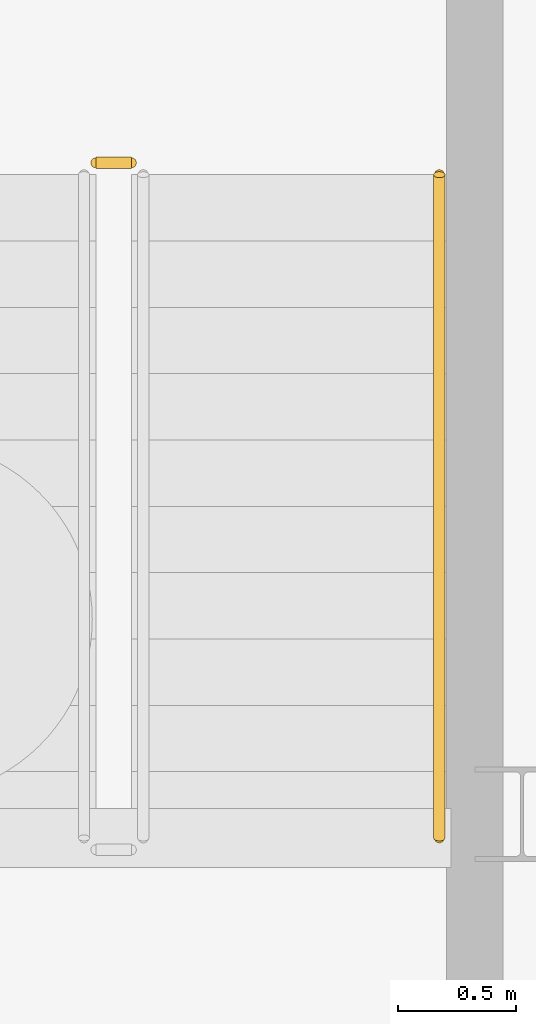
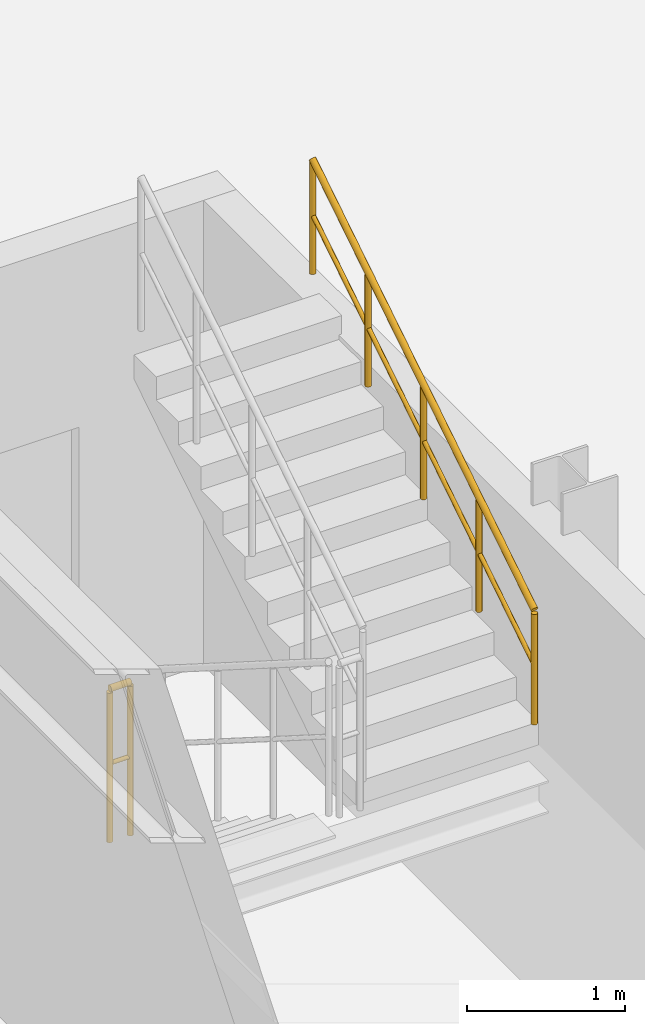
# One storey, part 13 of 14: 2 railings.
"""IFC4 building model written with IfcOpenShell, lengths in metres."""

from ifc_helpers import new_model, si_unit, direction, frame, origin, origin_2d, place, context, subcontext, project, spatial, circle, extrude, material, type_object, element, save


model = new_model("IFC4")

# Units and contexts
model_context = context("Model", 3, precision=1e-05, world=origin(), true_north=direction((0.0, 1.0)))
body_context = subcontext(model_context, "Body", "Model", "MODEL_VIEW")
ifc_project = project(units=[si_unit("LENGTHUNIT", "METRE"), si_unit("AREAUNIT", "SQUARE_METRE"), si_unit("VOLUMEUNIT", "CUBIC_METRE"), si_unit("PLANEANGLEUNIT", "RADIAN"), si_unit("MASSUNIT", "GRAM", prefix="KILO")], contexts=[model_context])

# Site, building, storey
site_placement = place(None, origin())
site = spatial("IfcSite", under=ifc_project, at=site_placement, CompositionType="ELEMENT")
building_placement = place(site_placement, origin())
building = spatial("IfcBuilding", under=site, at=building_placement, Name="Miruveldt Soraemaru", CompositionType="ELEMENT")
storey_placement = place(building_placement, frame((0.0, 0.0, -15.60009765625)))
storey = spatial("IfcBuildingStorey", under=building, at=storey_placement, Name="B4", CompositionType="ELEMENT", Elevation=-15.60009765625)

# Railings
ifc_material = material(Name="Steel S355 (355 MPa)", Category="steel")
railing_type_1 = type_object("IfcRailingType", Name="RAIL-HR-900", PredefinedType="HANDRAIL", material=ifc_material)
railing_1_placement = place(storey_placement, frame((59.60009765625, 40.39990234375, 2.12744140625)))
element("IfcRailing", 1, at=railing_1_placement, inside=storey, type_object=railing_type_1, Name="B4 ST-4 stair handrail 2", PredefinedType="HANDRAIL", context=body_context, shape_type="SweptSolid", body=[
    extrude(circle(Radius=0.02392578125, at=origin_2d()), frame((0.0, 0.0, 0.8759765625), z_axis=(0.0, 0.844908973607, 0.534910110503), x_axis=(-1.0, 0.0, 0.0)), (0.0, 0.0, 1.0), 3.31396484375),
    extrude(circle(Radius=0.01611328125, at=origin_2d()), frame((0.0, 0.0, 0.449951171875), z_axis=(0.0, 0.844908973607, 0.534910110503), x_axis=(-1.0, 0.0, 0.0)), (0.0, 0.0, 1.0), 3.31396484375),
    extrude(circle(Radius=0.02099609375, at=origin_2d()), origin(), (0.0, 0.0, 1.0), 0.851806640625),
    extrude(circle(Radius=0.02099609375, at=origin_2d()), frame((0.0, 0.699951171875, 0.443115234375)), (0.0, 0.0, 1.0), 0.851806640625),
    extrude(circle(Radius=0.02099609375, at=origin_2d()), frame((0.0, 1.39990234375, 0.88623046875)), (0.0, 0.0, 1.0), 0.851806640625),
    extrude(circle(Radius=0.02099609375, at=origin_2d()), frame((0.0, 2.10009765625, 1.32958984375)), (0.0, 0.0, 1.0), 0.851806640625),
    extrude(circle(Radius=0.02099609375, at=origin_2d()), frame((0.0, 2.800048828125, 1.772705078125)), (0.0, 0.0, 1.0), 0.851806640625),
])
railing_type_2 = type_object("IfcRailingType", Name="RAIL-STGUARD-1200", PredefinedType="GUARDRAIL", material=ifc_material)
railing_2_placement = place(storey_placement, frame((58.14990234375, 43.25, 0.0)))
element("IfcRailing", 2, at=railing_2_placement, inside=storey, type_object=railing_type_2, Name="B4 ST-4 stair guard 4", PredefinedType="GUARDRAIL", context=body_context, shape_type="SweptSolid", body=[
    extrude(circle(Radius=0.02392578125, at=origin_2d()), frame((0.0, 0.0, 1.17578125), z_axis=(1.0, 0.0, 0.0), x_axis=(0.0, 1.0, 0.0)), (0.0, 0.0, 1.0), 0.150146484375),
    extrude(circle(Radius=0.01611328125, at=origin_2d()), frame((0.0, 0.0, 0.60009765625), z_axis=(1.0, 0.0, 0.0), x_axis=(0.0, 1.0, 0.0)), (0.0, 0.0, 1.0), 0.150146484375),
    extrude(circle(Radius=0.02099609375, at=origin_2d()), origin(), (0.0, 0.0, 1.0), 1.15185546875),
    extrude(circle(Radius=0.02099609375, at=origin_2d()), frame((0.150146484375, 0.0, 0.0)), (0.0, 0.0, 1.0), 1.15185546875),
])

save(model, "model.ifc")
